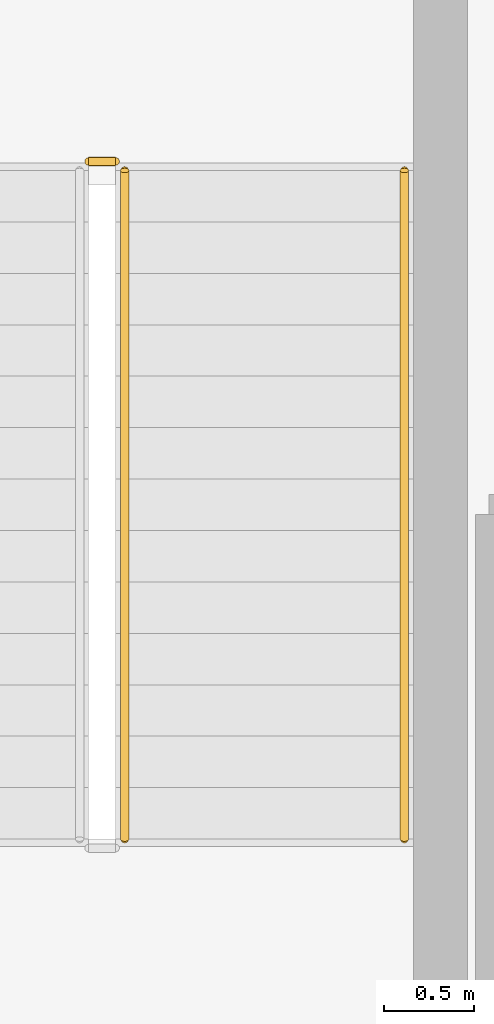
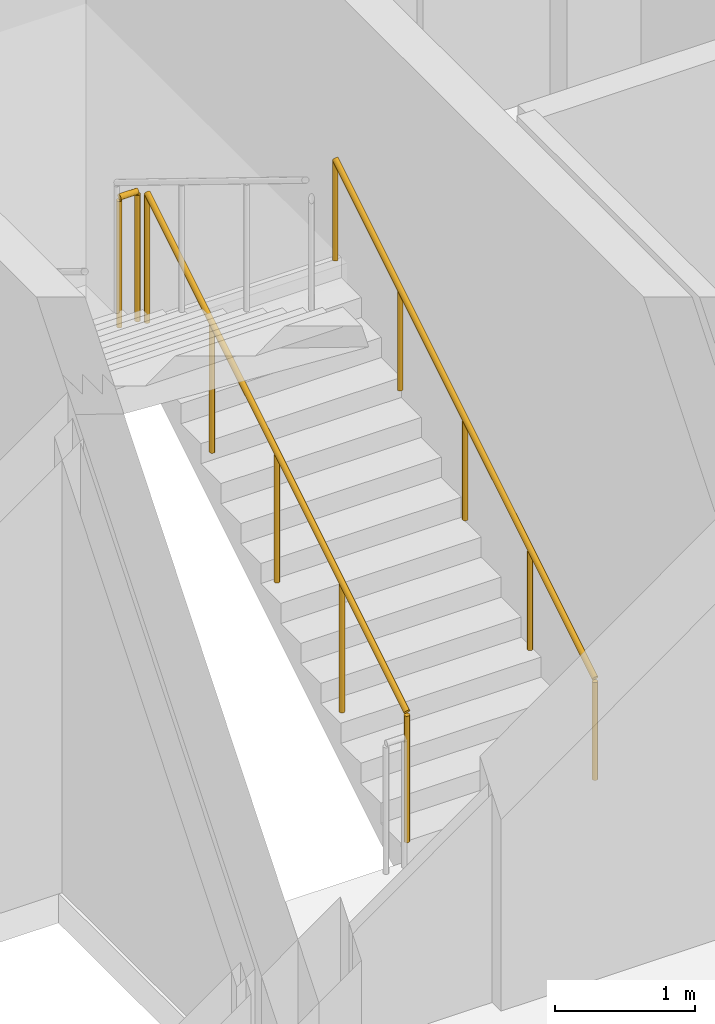
# One storey, part 10 of 11: 3 railings.
"""IFC4 building model written with IfcOpenShell, lengths in metres."""

from ifc_helpers import new_model, si_unit, direction, frame, origin, origin_2d, place, context, subcontext, project, spatial, circle, extrude, material, type_object, element, save


model = new_model("IFC4")

# Units and contexts
model_context = context("Model", 3, precision=1e-05, world=origin(), true_north=direction((0.0, 1.0)))
body_context = subcontext(model_context, "Body", "Model", "MODEL_VIEW")
ifc_project = project(units=[si_unit("LENGTHUNIT", "METRE"), si_unit("AREAUNIT", "SQUARE_METRE"), si_unit("VOLUMEUNIT", "CUBIC_METRE"), si_unit("PLANEANGLEUNIT", "RADIAN"), si_unit("MASSUNIT", "GRAM", prefix="KILO")], contexts=[model_context])

# Site, building, storey
site_placement = place(None, origin())
site = spatial("IfcSite", under=ifc_project, at=site_placement, CompositionType="ELEMENT")
building_placement = place(site_placement, origin())
building = spatial("IfcBuilding", under=site, at=building_placement, Name="Nhamokura Convention Tower", CompositionType="ELEMENT")
storey_placement = place(building_placement, frame((0.0, 0.0, 77.35009765625)))
storey = spatial("IfcBuildingStorey", under=building, at=storey_placement, Name="L18", CompositionType="ELEMENT", Elevation=77.35009765625)

# Railings
ifc_material_1 = material(Name="Anodised bronze stainless steel", Category="steel")
railing_type_1 = type_object("IfcRailingType", Name="StairWallHandrail_900", PredefinedType="HANDRAIL", material=ifc_material_1)
railing_1_placement = place(storey_placement, frame((33.64990234375, 35.14990234375, 0.1748046875)))
element("IfcRailing", 1, at=railing_1_placement, inside=storey, type_object=railing_type_1, Name="L18 ST-03 stair handrail 1", PredefinedType="HANDRAIL", context=body_context, shape_type="SweptSolid", body=[
    extrude(circle(Radius=0.02392578125, at=origin_2d()), frame((0.0, 0.0, 0.8759765625), z_axis=(0.0, 0.852161122236, 0.523279487224), x_axis=(-1.0, 0.0, 0.0)), (0.0, 0.0, 1.0), 4.347900390625),
    extrude(circle(Radius=0.02099609375, at=origin_2d()), origin(), (0.0, 0.0, 1.0), 0.851806640625),
    extrude(circle(Radius=0.02099609375, at=origin_2d()), frame((0.0, 0.92626953125, 0.56884765625)), (0.0, 0.0, 1.0), 0.851806640625),
    extrude(circle(Radius=0.02099609375, at=origin_2d()), frame((0.0, 1.8525390625, 1.1376953125)), (0.0, 0.0, 1.0), 0.851806640625),
    extrude(circle(Radius=0.02099609375, at=origin_2d()), frame((0.0, 2.77880859375, 1.706298828125)), (0.0, 0.0, 1.0), 0.851806640625),
    extrude(circle(Radius=0.02099609375, at=origin_2d()), frame((0.0, 3.705078125, 2.275146484375)), (0.0, 0.0, 1.0), 0.851806640625),
])
ifc_material_2 = material(Name="Painted tubular steel", Category="steel")
railing_type_2 = type_object("IfcRailingType", Name="StairWellGuardrail_1150", PredefinedType="GUARDRAIL", material=ifc_material_2)
railing_2_placement = place(storey_placement, frame((32.10009765625, 35.14990234375, 0.1748046875)))
element("IfcRailing", 2, at=railing_2_placement, inside=storey, type_object=railing_type_2, Name="L18 ST-03 stair guard 1", PredefinedType="GUARDRAIL", context=body_context, shape_type="SweptSolid", body=[
    extrude(circle(Radius=0.02392578125, at=origin_2d()), frame((0.0, 0.0, 1.1259765625), z_axis=(0.0, 0.852161122236, 0.523279487224), x_axis=(-1.0, 0.0, 0.0)), (0.0, 0.0, 1.0), 4.347900390625),
    extrude(circle(Radius=0.02099609375, at=origin_2d()), origin(), (0.0, 0.0, 1.0), 1.101806640625),
    extrude(circle(Radius=0.02099609375, at=origin_2d()), frame((0.0, 0.92626953125, 0.56884765625)), (0.0, 0.0, 1.0), 1.101806640625),
    extrude(circle(Radius=0.02099609375, at=origin_2d()), frame((0.0, 1.8525390625, 1.1376953125)), (0.0, 0.0, 1.0), 1.101806640625),
    extrude(circle(Radius=0.02099609375, at=origin_2d()), frame((0.0, 2.77880859375, 1.706298828125)), (0.0, 0.0, 1.0), 1.101806640625),
    extrude(circle(Radius=0.02099609375, at=origin_2d()), frame((0.0, 3.705078125, 2.275146484375)), (0.0, 0.0, 1.0), 1.101806640625),
])
railing_3_placement = place(storey_placement, frame((32.050048828125, 38.905029296875, 2.449951171875)))
element("IfcRailing", 3, at=railing_3_placement, inside=storey, type_object=railing_type_2, Name="L18 ST-03 stair guard 2", PredefinedType="GUARDRAIL", context=body_context, shape_type="SweptSolid", body=[
    extrude(circle(Radius=0.02392578125, at=origin_2d()), frame((0.0, 0.0, 1.1259765625), z_axis=(-1.0, 0.0, 0.0), x_axis=(0.0, -1.0, 0.0)), (0.0, 0.0, 1.0), 0.150146484375),
    extrude(circle(Radius=0.02099609375, at=origin_2d()), origin(), (0.0, 0.0, 1.0), 1.101806640625),
    extrude(circle(Radius=0.02099609375, at=origin_2d()), frame((-0.150146484375, 0.0, 0.0)), (0.0, 0.0, 1.0), 1.101806640625),
])

save(model, "model.ifc")
